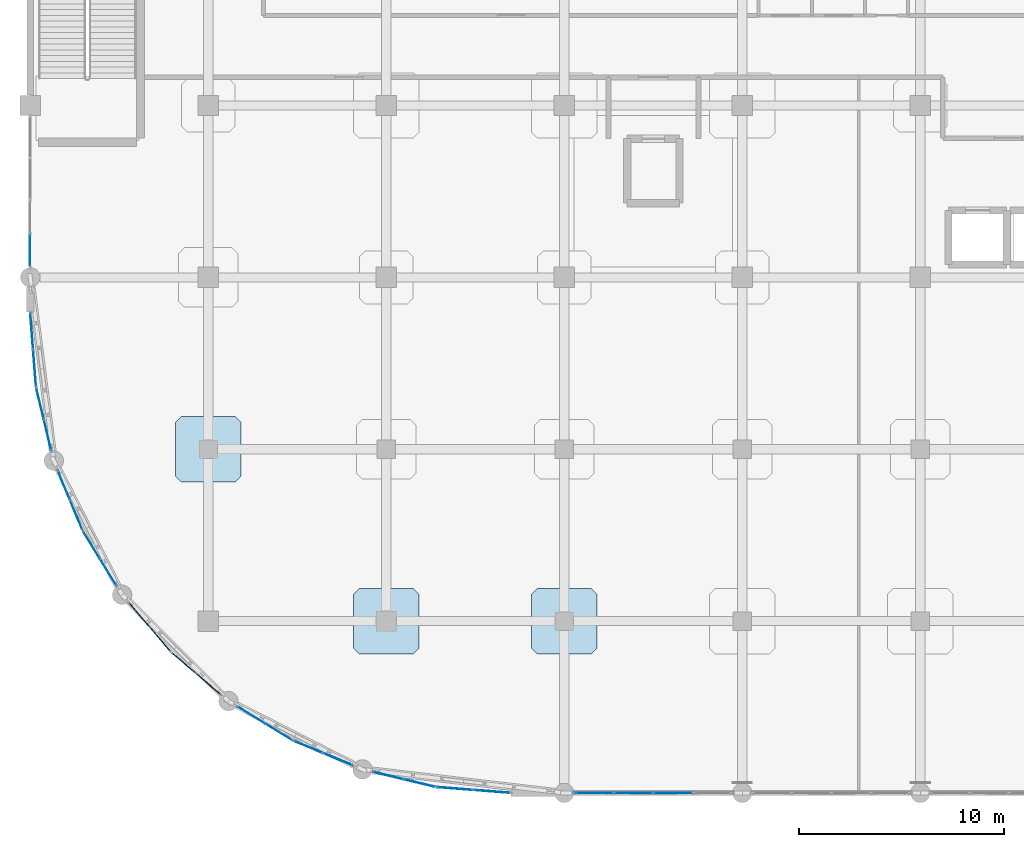
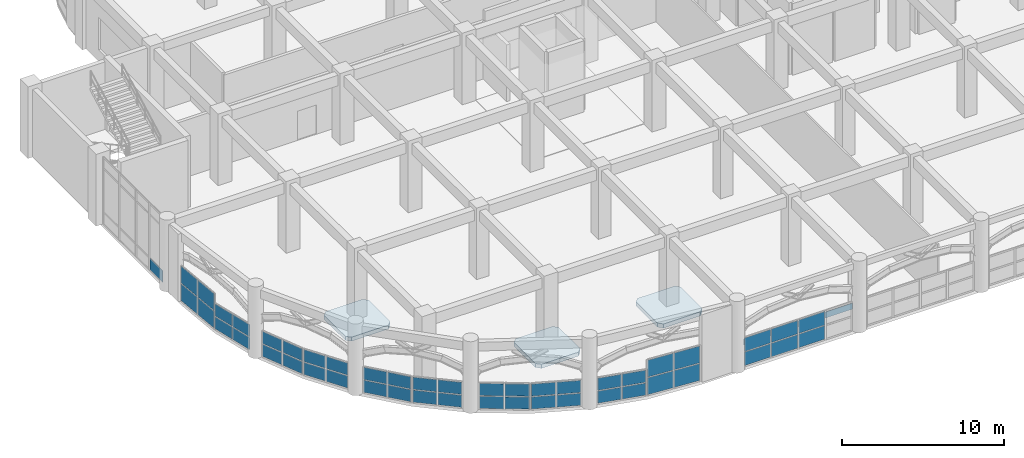
# One storey, part 79 of 114: 48 plates, 3 slabs, 12 elements without a shape of their own.
"""IFC4 building model written with IfcOpenShell, lengths in metres."""

from ifc_helpers import new_model, si_unit, derived_unit, direction, frame, origin, origin_2d, place, context, subcontext, project, spatial, polyline, rectangle, outline, extrude, material, layer, layer_set, type_object, element, aggregate, save


model = new_model("IFC4")

# Units and contexts
model_context = context("Model", 3, precision=1e-05, world=origin(), true_north=direction((0.0, 1.0)))
body_context = subcontext(model_context, "Body", "Model", "MODEL_VIEW")
ifc_project = project(units=[si_unit("LENGTHUNIT", "METRE"), si_unit("AREAUNIT", "SQUARE_METRE"), si_unit("VOLUMEUNIT", "CUBIC_METRE"), si_unit("PLANEANGLEUNIT", "RADIAN"), si_unit("MASSUNIT", "GRAM", prefix="KILO"), derived_unit("THERMALTRANSMITTANCEUNIT", [(si_unit("MASSUNIT", "GRAM", prefix="KILO"), 1), (si_unit("TIMEUNIT", "SECOND"), -3), (si_unit("THERMODYNAMICTEMPERATUREUNIT", "KELVIN"), -1)])], contexts=[model_context])

# Site, building, storey
site_placement = place(None, origin())
site = spatial("IfcSite", under=ifc_project, at=site_placement, CompositionType="ELEMENT")
building_placement = place(site_placement, origin())
building = spatial("IfcBuilding", under=site, at=building_placement, Name="Qinzheling Arcade Emporium", CompositionType="ELEMENT")
storey_placement = place(building_placement, frame((0.0, 0.0, 6.0)))
storey = spatial("IfcBuildingStorey", under=building, at=storey_placement, Name="L02", CompositionType="ELEMENT", Elevation=6.0)

# Slabs
ifc_material_1 = material(Name="Concrete C40", Category="concrete")
ifc_layer_1 = layer(ifc_material_1, 0.300048828125, Name="Concrete C40", Category="concrete")
ifc_layer_set_1 = layer_set([ifc_layer_1], Name="Concrete C40")
slab_type = type_object("IfcSlabType", Name="Column Head Drop Panel 3200x3200x300 C40", PredefinedType="USERDEFINED", material=ifc_layer_set_1)
slab_1_placement = place(storey_placement, frame((0.0, 0.0, -0.580078125)))
element("IfcSlab", 1, at=slab_1_placement, inside=storey, type_object=slab_type, Name="Column Drop Panel DP-L02-2-C", ObjectType="DROP_PANEL", PredefinedType="USERDEFINED", context=body_context, shape_type="SweptSolid", body=[
    extrude(outline(polyline([(7.3798828125, 15.199951171875), (10.02001953125, 15.199951171875), (10.300048828125, 15.47998046875), (10.300048828125, 18.1201171875), (10.02001953125, 18.39990234375), (7.3798828125, 18.39990234375), (7.10009765625, 18.1201171875), (7.10009765625, 15.47998046875), (7.3798828125, 15.199951171875)])), origin(), (0.0, 0.0, 1.0), 0.300048828125),
])
slab_2_placement = place(storey_placement, frame((0.0, 0.0, -0.580078125)))
element("IfcSlab", 2, at=slab_2_placement, inside=storey, type_object=slab_type, Name="Column Drop Panel DP-L02-3-B", ObjectType="DROP_PANEL", PredefinedType="USERDEFINED", context=body_context, shape_type="SweptSolid", body=[
    extrude(outline(polyline([(16.080078125, 6.800048828125), (18.719970703125, 6.800048828125), (19.0, 7.080078125), (19.0, 9.719970703125), (18.719970703125, 10.0), (16.080078125, 10.0), (15.800048828125, 9.719970703125), (15.800048828125, 7.080078125), (16.080078125, 6.800048828125)])), origin(), (0.0, 0.0, 1.0), 0.300048828125),
])
slab_3_placement = place(storey_placement, frame((0.0, 0.0, -0.580078125)))
element("IfcSlab", 3, at=slab_3_placement, inside=storey, type_object=slab_type, Name="Column Drop Panel DP-L02-4-B", ObjectType="DROP_PANEL", PredefinedType="USERDEFINED", context=body_context, shape_type="SweptSolid", body=[
    extrude(outline(polyline([(24.780029296875, 6.800048828125), (27.419921875, 6.800048828125), (27.699951171875, 7.080078125), (27.699951171875, 9.719970703125), (27.419921875, 10.0), (24.780029296875, 10.0), (24.5, 9.719970703125), (24.5, 7.080078125), (24.780029296875, 6.800048828125)])), origin(), (0.0, 0.0, 1.0), 0.300048828125),
])

# Curtain wall, plates
ifc_material_2 = material(Name="Anodised aluminium and solar-control double glazing", Category="aluminium")
ifc_layer_2 = layer(ifc_material_2, 0.159912109375, Name="Anodised aluminium and solar-control double glazing", Category="aluminium")
ifc_layer_set_2 = layer_set([ifc_layer_2], Name="Anodised aluminium and solar-control double glazing")
curtain_wall_type_1 = type_object("IfcCurtainWallType", Name="Curved Ribbon Sales Curtain Wall", PredefinedType="NOTDEFINED", material=ifc_layer_set_2)
curtain_wall_1_placement = place(storey_placement, origin())
curtain_wall_1 = element("IfcCurtainWall", 4, at=curtain_wall_1_placement, inside=storey, type_object=curtain_wall_type_1, Name="Curtain Wall CW-L02-079", PredefinedType="NOTDEFINED")
ifc_material_3 = material(Name="Laminated solar-control double glazing", Category="glass")
ifc_layer_3 = layer(ifc_material_3, 0.02099609375, Name="Laminated solar-control double glazing", Category="glass")
ifc_layer_set_3 = layer_set([ifc_layer_3], Name="Laminated solar-control double glazing")
plate_type_1 = type_object("IfcPlateType", Name="Low-E Double Glazed Curtain Panel 21mm", PredefinedType="CURTAIN_PANEL", material=ifc_layer_set_3)
plate_1_placement = place(storey_placement, frame((3.811767578125, 10.791015625, 0.06005859375), z_axis=(0.0, 0.0, 1.0), x_axis=(-0.522671615243, 0.852534094696, 0.0)))
plate_1 = element("IfcPlate", 5, at=plate_1_placement, type_object=plate_type_1, Name="CW02 panel 1.1", PredefinedType="CURTAIN_PANEL", context=body_context, shape_type="SweptSolid", body=[
    extrude(rectangle(XDim=1.51513671875, YDim=0.02099609375, at=origin_2d()), origin(), (0.0, 0.0, 1.0), 0.9150390625),
])
plate_2_placement = place(storey_placement, frame((3.811767578125, 10.791015625, 1.034912109375), z_axis=(0.0, 0.0, 1.0), x_axis=(-0.522671615243, 0.852534094696, 0.0)))
plate_2 = element("IfcPlate", 6, at=plate_2_placement, type_object=plate_type_1, Name="CW02 panel 1.2", PredefinedType="CURTAIN_PANEL", context=body_context, shape_type="SweptSolid", body=[
    extrude(rectangle(XDim=1.51513671875, YDim=0.02099609375, at=origin_2d()), origin(), (0.0, 0.0, 1.0), 0.9150390625),
])
plate_3_placement = place(storey_placement, frame((2.98828125, 12.134033203125, 0.06005859375), z_axis=(0.0, 0.0, 1.0), x_axis=(-0.522671615243, 0.852534094696, 0.0)))
plate_3 = element("IfcPlate", 7, at=plate_3_placement, type_object=plate_type_1, Name="CW02 panel 2.1", PredefinedType="CURTAIN_PANEL", context=body_context, shape_type="SweptSolid", body=[
    extrude(rectangle(XDim=1.51513671875, YDim=0.02099609375, at=origin_2d()), origin(), (0.0, 0.0, 1.0), 0.9150390625),
])
plate_4_placement = place(storey_placement, frame((2.98828125, 12.134033203125, 1.034912109375), z_axis=(0.0, 0.0, 1.0), x_axis=(-0.522671615243, 0.852534094696, 0.0)))
plate_4 = element("IfcPlate", 8, at=plate_4_placement, type_object=plate_type_1, Name="CW02 panel 2.2", PredefinedType="CURTAIN_PANEL", context=body_context, shape_type="SweptSolid", body=[
    extrude(rectangle(XDim=1.51513671875, YDim=0.02099609375, at=origin_2d()), origin(), (0.0, 0.0, 1.0), 0.9150390625),
])
aggregate(curtain_wall_1, [plate_1, plate_2, plate_3, plate_4])

curtain_wall_2_placement = place(storey_placement, origin())
curtain_wall_2 = element("IfcCurtainWall", 9, at=curtain_wall_2_placement, inside=storey, type_object=curtain_wall_type_1, Name="Curtain Wall CW-L02-080", PredefinedType="NOTDEFINED")
ifc_layer_4 = layer(ifc_material_3, 0.02197265625, Name="Laminated solar-control double glazing", Category="glass")
ifc_layer_set_4 = layer_set([ifc_layer_4], Name="Laminated solar-control double glazing")
plate_type_2 = type_object("IfcPlateType", Name="Low-E Double Glazed Curtain Panel 22mm", PredefinedType="CURTAIN_PANEL", material=ifc_layer_set_4)
plate_5_placement = place(storey_placement, frame((2.248291015625, 13.58642578125, 0.06005859375), z_axis=(0.0, 0.0, 1.0), x_axis=(-0.382535212849, 0.923940913117, 0.0)))
plate_5 = element("IfcPlate", 10, at=plate_5_placement, type_object=plate_type_2, Name="CW02 panel 1.1", PredefinedType="CURTAIN_PANEL", context=body_context, shape_type="SweptSolid", body=[
    extrude(rectangle(XDim=1.51513671875, YDim=0.02197265625, at=origin_2d()), origin(), (0.0, 0.0, 1.0), 0.9150390625),
])
plate_6_placement = place(storey_placement, frame((2.248291015625, 13.58642578125, 1.034912109375), z_axis=(0.0, 0.0, 1.0), x_axis=(-0.382535212849, 0.923940913117, 0.0)))
plate_6 = element("IfcPlate", 11, at=plate_6_placement, type_object=plate_type_2, Name="CW02 panel 1.2", PredefinedType="CURTAIN_PANEL", context=body_context, shape_type="SweptSolid", body=[
    extrude(rectangle(XDim=1.51513671875, YDim=0.02197265625, at=origin_2d()), origin(), (0.0, 0.0, 1.0), 0.9150390625),
])
plate_7_placement = place(storey_placement, frame((1.645751953125, 15.041748046875, 0.06005859375), z_axis=(0.0, 0.0, 1.0), x_axis=(-0.382535212849, 0.923940913117, 0.0)))
plate_7 = element("IfcPlate", 12, at=plate_7_placement, type_object=plate_type_2, Name="CW02 panel 2.1", PredefinedType="CURTAIN_PANEL", context=body_context, shape_type="SweptSolid", body=[
    extrude(rectangle(XDim=1.51513671875, YDim=0.02197265625, at=origin_2d()), origin(), (0.0, 0.0, 1.0), 0.9150390625),
])
plate_8_placement = place(storey_placement, frame((1.645751953125, 15.041748046875, 1.034912109375), z_axis=(0.0, 0.0, 1.0), x_axis=(-0.382535212849, 0.923940913117, 0.0)))
plate_8 = element("IfcPlate", 13, at=plate_8_placement, type_object=plate_type_2, Name="CW02 panel 2.2", PredefinedType="CURTAIN_PANEL", context=body_context, shape_type="SweptSolid", body=[
    extrude(rectangle(XDim=1.51513671875, YDim=0.02197265625, at=origin_2d()), origin(), (0.0, 0.0, 1.0), 0.9150390625),
])
aggregate(curtain_wall_2, [plate_5, plate_6, plate_7, plate_8])

curtain_wall_3_placement = place(storey_placement, origin())
curtain_wall_3 = element("IfcCurtainWall", 14, at=curtain_wall_3_placement, inside=storey, type_object=curtain_wall_type_1, Name="Curtain Wall CW-L02-081", PredefinedType="NOTDEFINED")
ifc_layer_5 = layer(ifc_material_3, 0.02392578125, Name="Laminated solar-control double glazing", Category="glass")
ifc_layer_set_5 = layer_set([ifc_layer_5], Name="Laminated solar-control double glazing")
plate_type_3 = type_object("IfcPlateType", Name="Low-E Double Glazed Curtain Panel 24mm", PredefinedType="CURTAIN_PANEL", material=ifc_layer_set_5)
plate_9_placement = place(storey_placement, frame((0.847900390625, 17.4970703125, 0.06005859375), z_axis=(0.0, 0.0, 1.0), x_axis=(-0.233584975646, 0.972336391972, 0.0)))
plate_9 = element("IfcPlate", 15, at=plate_9_placement, type_object=plate_type_3, Name="CW02 panel 1.1", PredefinedType="CURTAIN_PANEL", context=body_context, shape_type="SweptSolid", body=[
    extrude(rectangle(XDim=1.515380859375, YDim=0.02392578125, at=origin_2d()), origin(), (0.0, 0.0, 1.0), 0.9150390625),
])
plate_10_placement = place(storey_placement, frame((0.847900390625, 17.4970703125, 1.034912109375), z_axis=(0.0, 0.0, 1.0), x_axis=(-0.233584975646, 0.972336391972, 0.0)))
plate_10 = element("IfcPlate", 16, at=plate_10_placement, type_object=plate_type_3, Name="CW02 panel 1.2", PredefinedType="CURTAIN_PANEL", context=body_context, shape_type="SweptSolid", body=[
    extrude(rectangle(XDim=1.515380859375, YDim=0.02392578125, at=origin_2d()), origin(), (0.0, 0.0, 1.0), 0.9150390625),
])
plate_11_placement = place(storey_placement, frame((0.47998046875, 19.02880859375, 0.06005859375), z_axis=(0.0, 0.0, 1.0), x_axis=(-0.233584975646, 0.972336391972, 0.0)))
plate_11 = element("IfcPlate", 17, at=plate_11_placement, type_object=plate_type_3, Name="CW02 panel 2.1", PredefinedType="CURTAIN_PANEL", context=body_context, shape_type="SweptSolid", body=[
    extrude(rectangle(XDim=1.515380859375, YDim=0.02392578125, at=origin_2d()), origin(), (0.0, 0.0, 1.0), 0.9150390625),
])
plate_12_placement = place(storey_placement, frame((0.47998046875, 19.02880859375, 1.034912109375), z_axis=(0.0, 0.0, 1.0), x_axis=(-0.233584975646, 0.972336391972, 0.0)))
plate_12 = element("IfcPlate", 18, at=plate_12_placement, type_object=plate_type_3, Name="CW02 panel 2.2", PredefinedType="CURTAIN_PANEL", context=body_context, shape_type="SweptSolid", body=[
    extrude(rectangle(XDim=1.515380859375, YDim=0.02392578125, at=origin_2d()), origin(), (0.0, 0.0, 1.0), 0.9150390625),
])
aggregate(curtain_wall_3, [plate_9, plate_10, plate_11, plate_12])

curtain_wall_4_placement = place(storey_placement, origin())
curtain_wall_4 = element("IfcCurtainWall", 19, at=curtain_wall_4_placement, inside=storey, type_object=curtain_wall_type_1, Name="Curtain Wall CW-L02-082", PredefinedType="NOTDEFINED")
ifc_layer_6 = layer(ifc_material_3, 0.02490234375, Name="Laminated solar-control double glazing", Category="glass")
ifc_layer_set_6 = layer_set([ifc_layer_6], Name="Laminated solar-control double glazing")
plate_type_4 = type_object("IfcPlateType", Name="Low-E Double Glazed Curtain Panel 25mm", PredefinedType="CURTAIN_PANEL", material=ifc_layer_set_6)
plate_13_placement = place(storey_placement, frame((0.215576171875, 20.758056640625, 0.06005859375), z_axis=(0.0, 0.0, 1.0), x_axis=(-0.078376222365, 0.996923852542, 0.0)))
plate_13 = element("IfcPlate", 20, at=plate_13_placement, type_object=plate_type_4, Name="CW02 panel 1.1", PredefinedType="CURTAIN_PANEL", context=body_context, shape_type="SweptSolid", body=[
    extrude(rectangle(XDim=1.753662109375, YDim=0.02490234375, at=origin_2d()), origin(), (0.0, 0.0, 1.0), 1.27197265625),
])
plate_14_placement = place(storey_placement, frame((0.215576171875, 20.758056640625, 1.39208984375), z_axis=(0.0, 0.0, 1.0), x_axis=(-0.078376222365, 0.996923852542, 0.0)))
plate_14 = element("IfcPlate", 21, at=plate_14_placement, type_object=plate_type_4, Name="CW02 panel 1.2", PredefinedType="CURTAIN_PANEL", context=body_context, shape_type="SweptSolid", body=[
    extrude(rectangle(XDim=1.753662109375, YDim=0.02490234375, at=origin_2d()), origin(), (0.0, 0.0, 1.0), 1.27099609375),
])
plate_15_placement = place(storey_placement, frame((0.073486328125, 22.566162109375, 0.06005859375), z_axis=(0.0, 0.0, 1.0), x_axis=(-0.078376222365, 0.996923852542, 0.0)))
plate_15 = element("IfcPlate", 22, at=plate_15_placement, type_object=plate_type_4, Name="CW02 panel 2.1", PredefinedType="CURTAIN_PANEL", context=body_context, shape_type="SweptSolid", body=[
    extrude(rectangle(XDim=1.753662109375, YDim=0.02490234375, at=origin_2d()), origin(), (0.0, 0.0, 1.0), 1.27197265625),
])
plate_16_placement = place(storey_placement, frame((0.073486328125, 22.566162109375, 1.39208984375), z_axis=(0.0, 0.0, 1.0), x_axis=(-0.078376222365, 0.996923852542, 0.0)))
plate_16 = element("IfcPlate", 23, at=plate_16_placement, type_object=plate_type_4, Name="CW02 panel 2.2", PredefinedType="CURTAIN_PANEL", context=body_context, shape_type="SweptSolid", body=[
    extrude(rectangle(XDim=1.753662109375, YDim=0.02490234375, at=origin_2d()), origin(), (0.0, 0.0, 1.0), 1.27099609375),
])
aggregate(curtain_wall_4, [plate_13, plate_14, plate_15, plate_16])

# Curtain wall, plate
ifc_layer_7 = layer(ifc_material_2, 0.159912109375, Name="Anodised aluminium and solar-control double glazing", Category="aluminium")
ifc_layer_set_7 = layer_set([ifc_layer_7], Name="Anodised aluminium and solar-control double glazing")
curtain_wall_type_2 = type_object("IfcCurtainWallType", Name="Arcade Portal Glazed Curtain Wall", PredefinedType="NOTDEFINED", material=ifc_layer_set_7)
curtain_wall_5_placement = place(storey_placement, origin())
curtain_wall_5 = element("IfcCurtainWall", 24, at=curtain_wall_5_placement, inside=storey, type_object=curtain_wall_type_2, Name="Curtain Wall CW-L02-083", PredefinedType="NOTDEFINED")
ifc_layer_8 = layer(ifc_material_3, 0.02587890625, Name="Laminated solar-control double glazing", Category="glass")
ifc_layer_set_8 = layer_set([ifc_layer_8], Name="Laminated solar-control double glazing")
plate_type_5 = type_object("IfcPlateType", Name="Low-E Double Glazed Curtain Panel 26mm", PredefinedType="CURTAIN_PANEL", material=ifc_layer_set_8)
plate_17_placement = place(storey_placement, frame((0.0, 26.522705078125, 0.06005859375), z_axis=(0.0, 0.0, 1.0), x_axis=(0.0, 1.0, 0.0)))
plate_17 = element("IfcPlate", 25, at=plate_17_placement, type_object=plate_type_5, Name="CW05 panel 1.1", PredefinedType="CURTAIN_PANEL", context=body_context, shape_type="SweptSolid", body=[
    extrude(rectangle(XDim=1.571533203125, YDim=0.02587890625, at=origin_2d()), origin(), (0.0, 0.0, 1.0), 0.860107421875),
])
aggregate(curtain_wall_5, [plate_17])

# Curtain wall, plates
curtain_wall_6_placement = place(storey_placement, origin())
curtain_wall_6 = element("IfcCurtainWall", 26, at=curtain_wall_6_placement, inside=storey, type_object=curtain_wall_type_2, Name="Curtain Wall CW-L02-072", PredefinedType="NOTDEFINED")
ifc_layer_9 = layer(ifc_material_3, 0.031005859375, Name="Laminated solar-control double glazing", Category="glass")
ifc_layer_set_9 = layer_set([ifc_layer_9], Name="Laminated solar-control double glazing")
plate_type_6 = type_object("IfcPlateType", Name="Low-E Double Glazed Curtain Panel 31mm", PredefinedType="CURTAIN_PANEL", material=ifc_layer_set_9)
plate_18_placement = place(storey_placement, frame((31.418212890625, 0.0, 0.06005859375), z_axis=(0.0, 0.0, 1.0), x_axis=(-1.0, 0.0, 0.0)))
plate_18 = element("IfcPlate", 27, at=plate_18_placement, type_object=plate_type_6, Name="CW05 panel 2.1", PredefinedType="CURTAIN_PANEL", context=body_context, shape_type="SweptSolid", body=[
    extrude(rectangle(XDim=1.87646484375, YDim=0.031005859375, at=origin_2d()), origin(), (0.0, 0.0, 1.0), 1.014892578125),
])
plate_19_placement = place(storey_placement, frame((31.418212890625, 0.0, 1.13525390625), z_axis=(0.0, 0.0, 1.0), x_axis=(-1.0, 0.0, 0.0)))
plate_19 = element("IfcPlate", 28, at=plate_19_placement, type_object=plate_type_6, Name="CW05 panel 2.2", PredefinedType="CURTAIN_PANEL", context=body_context, shape_type="SweptSolid", body=[
    extrude(rectangle(XDim=1.87646484375, YDim=0.031005859375, at=origin_2d()), origin(), (0.0, 0.0, 1.0), 1.014892578125),
])
plate_20_placement = place(storey_placement, frame((29.481689453125, 0.0, 0.06005859375), z_axis=(0.0, 0.0, 1.0), x_axis=(-1.0, 0.0, 0.0)))
plate_20 = element("IfcPlate", 29, at=plate_20_placement, type_object=plate_type_6, Name="CW05 panel 3.1", PredefinedType="CURTAIN_PANEL", context=body_context, shape_type="SweptSolid", body=[
    extrude(rectangle(XDim=1.87646484375, YDim=0.031005859375, at=origin_2d()), origin(), (0.0, 0.0, 1.0), 1.014892578125),
])
plate_21_placement = place(storey_placement, frame((29.481689453125, 0.0, 1.13525390625), z_axis=(0.0, 0.0, 1.0), x_axis=(-1.0, 0.0, 0.0)))
plate_21 = element("IfcPlate", 30, at=plate_21_placement, type_object=plate_type_6, Name="CW05 panel 3.2", PredefinedType="CURTAIN_PANEL", context=body_context, shape_type="SweptSolid", body=[
    extrude(rectangle(XDim=1.87646484375, YDim=0.031005859375, at=origin_2d()), origin(), (0.0, 0.0, 1.0), 1.014892578125),
])
plate_22_placement = place(storey_placement, frame((27.560302734375, 0.0, 0.06005859375), z_axis=(0.0, 0.0, 1.0), x_axis=(-1.0, 0.0, 0.0)))
plate_22 = element("IfcPlate", 31, at=plate_22_placement, type_object=plate_type_6, Name="CW05 panel 4.1", PredefinedType="CURTAIN_PANEL", context=body_context, shape_type="SweptSolid", body=[
    extrude(rectangle(XDim=1.846435546875, YDim=0.031005859375, at=origin_2d()), origin(), (0.0, 0.0, 1.0), 1.014892578125),
])
plate_23_placement = place(storey_placement, frame((27.560302734375, 0.0, 1.13525390625), z_axis=(0.0, 0.0, 1.0), x_axis=(-1.0, 0.0, 0.0)))
plate_23 = element("IfcPlate", 32, at=plate_23_placement, type_object=plate_type_6, Name="CW05 panel 4.2", PredefinedType="CURTAIN_PANEL", context=body_context, shape_type="SweptSolid", body=[
    extrude(rectangle(XDim=1.846435546875, YDim=0.031005859375, at=origin_2d()), origin(), (0.0, 0.0, 1.0), 1.014892578125),
])
aggregate(curtain_wall_6, [plate_18, plate_19, plate_20, plate_21, plate_22, plate_23])

curtain_wall_7_placement = place(storey_placement, origin())
curtain_wall_7 = element("IfcCurtainWall", 33, at=curtain_wall_7_placement, inside=storey, type_object=curtain_wall_type_1, Name="Curtain Wall CW-L02-073", PredefinedType="NOTDEFINED")
ifc_layer_10 = layer(ifc_material_3, 0.031982421875, Name="Laminated solar-control double glazing", Category="glass")
ifc_layer_set_10 = layer_set([ifc_layer_10], Name="Laminated solar-control double glazing")
plate_type_7 = type_object("IfcPlateType", Name="Low-E Double Glazed Curtain Panel 32mm", PredefinedType="CURTAIN_PANEL", material=ifc_layer_set_10)
plate_24_placement = place(storey_placement, frame((22.566162109375, 0.073486328125, 0.06005859375), z_axis=(0.0, 0.0, 1.0), x_axis=(-0.996923852542, 0.078376222365, 0.0)))
plate_24 = element("IfcPlate", 34, at=plate_24_placement, type_object=plate_type_7, Name="CW02 panel 1.1", PredefinedType="CURTAIN_PANEL", context=body_context, shape_type="SweptSolid", body=[
    extrude(rectangle(XDim=1.753662109375, YDim=0.031982421875, at=origin_2d()), origin(), (0.0, 0.0, 1.0), 1.27197265625),
])
plate_25_placement = place(storey_placement, frame((22.566162109375, 0.073486328125, 1.39208984375), z_axis=(0.0, 0.0, 1.0), x_axis=(-0.996923852542, 0.078376222365, 0.0)))
plate_25 = element("IfcPlate", 35, at=plate_25_placement, type_object=plate_type_7, Name="CW02 panel 1.2", PredefinedType="CURTAIN_PANEL", context=body_context, shape_type="SweptSolid", body=[
    extrude(rectangle(XDim=1.753662109375, YDim=0.031982421875, at=origin_2d()), origin(), (0.0, 0.0, 1.0), 1.27099609375),
])
plate_26_placement = place(storey_placement, frame((20.758056640625, 0.215576171875, 0.06005859375), z_axis=(0.0, 0.0, 1.0), x_axis=(-0.996923852542, 0.078376222365, 0.0)))
plate_26 = element("IfcPlate", 36, at=plate_26_placement, type_object=plate_type_7, Name="CW02 panel 2.1", PredefinedType="CURTAIN_PANEL", context=body_context, shape_type="SweptSolid", body=[
    extrude(rectangle(XDim=1.753662109375, YDim=0.031982421875, at=origin_2d()), origin(), (0.0, 0.0, 1.0), 1.27197265625),
])
plate_27_placement = place(storey_placement, frame((20.758056640625, 0.215576171875, 1.39208984375), z_axis=(0.0, 0.0, 1.0), x_axis=(-0.996923852542, 0.078376222365, 0.0)))
plate_27 = element("IfcPlate", 37, at=plate_27_placement, type_object=plate_type_7, Name="CW02 panel 2.2", PredefinedType="CURTAIN_PANEL", context=body_context, shape_type="SweptSolid", body=[
    extrude(rectangle(XDim=1.753662109375, YDim=0.031982421875, at=origin_2d()), origin(), (0.0, 0.0, 1.0), 1.27099609375),
])
aggregate(curtain_wall_7, [plate_24, plate_25, plate_26, plate_27])

curtain_wall_8_placement = place(storey_placement, origin())
curtain_wall_8 = element("IfcCurtainWall", 38, at=curtain_wall_8_placement, inside=storey, type_object=curtain_wall_type_1, Name="Curtain Wall CW-L02-074", PredefinedType="NOTDEFINED")
ifc_layer_11 = layer(ifc_material_3, 0.033935546875, Name="Laminated solar-control double glazing", Category="glass")
ifc_layer_set_11 = layer_set([ifc_layer_11], Name="Laminated solar-control double glazing")
plate_type_8 = type_object("IfcPlateType", Name="Low-E Double Glazed Curtain Panel 34mm", PredefinedType="CURTAIN_PANEL", material=ifc_layer_set_11)
plate_28_placement = place(storey_placement, frame((19.02880859375, 0.47998046875, 0.06005859375), z_axis=(0.0, 0.0, 1.0), x_axis=(-0.972336391972, 0.233584975646, 0.0)))
plate_28 = element("IfcPlate", 39, at=plate_28_placement, type_object=plate_type_8, Name="CW02 panel 1.1", PredefinedType="CURTAIN_PANEL", context=body_context, shape_type="SweptSolid", body=[
    extrude(rectangle(XDim=1.515380859375, YDim=0.033935546875, at=origin_2d()), origin(), (0.0, 0.0, 1.0), 0.9150390625),
])
plate_29_placement = place(storey_placement, frame((19.02880859375, 0.47998046875, 1.034912109375), z_axis=(0.0, 0.0, 1.0), x_axis=(-0.972336391972, 0.233584975646, 0.0)))
plate_29 = element("IfcPlate", 40, at=plate_29_placement, type_object=plate_type_8, Name="CW02 panel 1.2", PredefinedType="CURTAIN_PANEL", context=body_context, shape_type="SweptSolid", body=[
    extrude(rectangle(XDim=1.515380859375, YDim=0.033935546875, at=origin_2d()), origin(), (0.0, 0.0, 1.0), 0.9150390625),
])
plate_30_placement = place(storey_placement, frame((17.4970703125, 0.847900390625, 0.06005859375), z_axis=(0.0, 0.0, 1.0), x_axis=(-0.972336391972, 0.233584975646, 0.0)))
plate_30 = element("IfcPlate", 41, at=plate_30_placement, type_object=plate_type_8, Name="CW02 panel 2.1", PredefinedType="CURTAIN_PANEL", context=body_context, shape_type="SweptSolid", body=[
    extrude(rectangle(XDim=1.515380859375, YDim=0.033935546875, at=origin_2d()), origin(), (0.0, 0.0, 1.0), 0.9150390625),
])
plate_31_placement = place(storey_placement, frame((17.4970703125, 0.847900390625, 1.034912109375), z_axis=(0.0, 0.0, 1.0), x_axis=(-0.972336391972, 0.233584975646, 0.0)))
plate_31 = element("IfcPlate", 42, at=plate_31_placement, type_object=plate_type_8, Name="CW02 panel 2.2", PredefinedType="CURTAIN_PANEL", context=body_context, shape_type="SweptSolid", body=[
    extrude(rectangle(XDim=1.515380859375, YDim=0.033935546875, at=origin_2d()), origin(), (0.0, 0.0, 1.0), 0.9150390625),
])
aggregate(curtain_wall_8, [plate_28, plate_29, plate_30, plate_31])

curtain_wall_9_placement = place(storey_placement, origin())
curtain_wall_9 = element("IfcCurtainWall", 43, at=curtain_wall_9_placement, inside=storey, type_object=curtain_wall_type_1, Name="Curtain Wall CW-L02-075", PredefinedType="NOTDEFINED")
ifc_layer_12 = layer(ifc_material_3, 0.035888671875, Name="Laminated solar-control double glazing", Category="glass")
ifc_layer_set_12 = layer_set([ifc_layer_12], Name="Laminated solar-control double glazing")
plate_type_9 = type_object("IfcPlateType", Name="Low-E Double Glazed Curtain Panel 36mm", PredefinedType="CURTAIN_PANEL", material=ifc_layer_set_12)
plate_32_placement = place(storey_placement, frame((15.041748046875, 1.645751953125, 0.06005859375), z_axis=(0.0, 0.0, 1.0), x_axis=(-0.923940913117, 0.382535212849, 0.0)))
plate_32 = element("IfcPlate", 44, at=plate_32_placement, type_object=plate_type_9, Name="CW02 panel 1.1", PredefinedType="CURTAIN_PANEL", context=body_context, shape_type="SweptSolid", body=[
    extrude(rectangle(XDim=1.51513671875, YDim=0.035888671875, at=origin_2d()), origin(), (0.0, 0.0, 1.0), 0.9150390625),
])
plate_33_placement = place(storey_placement, frame((15.041748046875, 1.645751953125, 1.034912109375), z_axis=(0.0, 0.0, 1.0), x_axis=(-0.923940913117, 0.382535212849, 0.0)))
plate_33 = element("IfcPlate", 45, at=plate_33_placement, type_object=plate_type_9, Name="CW02 panel 1.2", PredefinedType="CURTAIN_PANEL", context=body_context, shape_type="SweptSolid", body=[
    extrude(rectangle(XDim=1.51513671875, YDim=0.035888671875, at=origin_2d()), origin(), (0.0, 0.0, 1.0), 0.9150390625),
])
plate_34_placement = place(storey_placement, frame((13.58642578125, 2.248291015625, 0.06005859375), z_axis=(0.0, 0.0, 1.0), x_axis=(-0.923940913117, 0.382535212849, 0.0)))
plate_34 = element("IfcPlate", 46, at=plate_34_placement, type_object=plate_type_9, Name="CW02 panel 2.1", PredefinedType="CURTAIN_PANEL", context=body_context, shape_type="SweptSolid", body=[
    extrude(rectangle(XDim=1.51513671875, YDim=0.035888671875, at=origin_2d()), origin(), (0.0, 0.0, 1.0), 0.9150390625),
])
plate_35_placement = place(storey_placement, frame((13.58642578125, 2.248291015625, 1.034912109375), z_axis=(0.0, 0.0, 1.0), x_axis=(-0.923940913117, 0.382535212849, 0.0)))
plate_35 = element("IfcPlate", 47, at=plate_35_placement, type_object=plate_type_9, Name="CW02 panel 2.2", PredefinedType="CURTAIN_PANEL", context=body_context, shape_type="SweptSolid", body=[
    extrude(rectangle(XDim=1.51513671875, YDim=0.035888671875, at=origin_2d()), origin(), (0.0, 0.0, 1.0), 0.9150390625),
])
aggregate(curtain_wall_9, [plate_32, plate_33, plate_34, plate_35])

curtain_wall_10_placement = place(storey_placement, origin())
curtain_wall_10 = element("IfcCurtainWall", 48, at=curtain_wall_10_placement, inside=storey, type_object=curtain_wall_type_1, Name="Curtain Wall CW-L02-076", PredefinedType="NOTDEFINED")
ifc_layer_13 = layer(ifc_material_3, 0.0380859375, Name="Laminated solar-control double glazing", Category="glass")
ifc_layer_set_13 = layer_set([ifc_layer_13], Name="Laminated solar-control double glazing")
plate_type_10 = type_object("IfcPlateType", Name="Low-E Double Glazed Curtain Panel 38mm", PredefinedType="CURTAIN_PANEL", material=ifc_layer_set_13)
plate_36_placement = place(storey_placement, frame((12.134033203125, 2.98828125, 0.06005859375), z_axis=(0.0, 0.0, 1.0), x_axis=(-0.852534094696, 0.522671615243, 0.0)))
plate_36 = element("IfcPlate", 49, at=plate_36_placement, type_object=plate_type_10, Name="CW02 panel 1.1", PredefinedType="CURTAIN_PANEL", context=body_context, shape_type="SweptSolid", body=[
    extrude(rectangle(XDim=1.51513671875, YDim=0.0380859375, at=origin_2d()), origin(), (0.0, 0.0, 1.0), 0.9150390625),
])
plate_37_placement = place(storey_placement, frame((12.134033203125, 2.98828125, 1.034912109375), z_axis=(0.0, 0.0, 1.0), x_axis=(-0.852534094696, 0.522671615243, 0.0)))
plate_37 = element("IfcPlate", 50, at=plate_37_placement, type_object=plate_type_10, Name="CW02 panel 1.2", PredefinedType="CURTAIN_PANEL", context=body_context, shape_type="SweptSolid", body=[
    extrude(rectangle(XDim=1.51513671875, YDim=0.0380859375, at=origin_2d()), origin(), (0.0, 0.0, 1.0), 0.9150390625),
])
plate_38_placement = place(storey_placement, frame((10.791015625, 3.811767578125, 0.06005859375), z_axis=(0.0, 0.0, 1.0), x_axis=(-0.852534094696, 0.522671615243, 0.0)))
plate_38 = element("IfcPlate", 51, at=plate_38_placement, type_object=plate_type_10, Name="CW02 panel 2.1", PredefinedType="CURTAIN_PANEL", context=body_context, shape_type="SweptSolid", body=[
    extrude(rectangle(XDim=1.51513671875, YDim=0.0380859375, at=origin_2d()), origin(), (0.0, 0.0, 1.0), 0.9150390625),
])
plate_39_placement = place(storey_placement, frame((10.791015625, 3.811767578125, 1.034912109375), z_axis=(0.0, 0.0, 1.0), x_axis=(-0.852534094696, 0.522671615243, 0.0)))
plate_39 = element("IfcPlate", 52, at=plate_39_placement, type_object=plate_type_10, Name="CW02 panel 2.2", PredefinedType="CURTAIN_PANEL", context=body_context, shape_type="SweptSolid", body=[
    extrude(rectangle(XDim=1.51513671875, YDim=0.0380859375, at=origin_2d()), origin(), (0.0, 0.0, 1.0), 0.9150390625),
])
aggregate(curtain_wall_10, [plate_36, plate_37, plate_38, plate_39])

curtain_wall_11_placement = place(storey_placement, origin())
curtain_wall_11 = element("IfcCurtainWall", 53, at=curtain_wall_11_placement, inside=storey, type_object=curtain_wall_type_1, Name="Curtain Wall CW-L02-077", PredefinedType="NOTDEFINED")
ifc_layer_14 = layer(ifc_material_3, 0.0400390625, Name="Laminated solar-control double glazing", Category="glass")
ifc_layer_set_14 = layer_set([ifc_layer_14], Name="Laminated solar-control double glazing")
plate_type_11 = type_object("IfcPlateType", Name="Low-E Double Glazed Curtain Panel 40mm", PredefinedType="CURTAIN_PANEL", material=ifc_layer_set_14)
plate_40_placement = place(storey_placement, frame((8.702392578125, 5.3291015625, 0.06005859375), z_axis=(0.0, 0.0, 1.0), x_axis=(-0.760376883098, 0.649482098021, 0.0)))
plate_40 = element("IfcPlate", 54, at=plate_40_placement, type_object=plate_type_11, Name="CW02 panel 1.1", PredefinedType="CURTAIN_PANEL", context=body_context, shape_type="SweptSolid", body=[
    extrude(rectangle(XDim=1.51513671875, YDim=0.0400390625, at=origin_2d()), origin(), (0.0, 0.0, 1.0), 0.9150390625),
])
plate_41_placement = place(storey_placement, frame((8.702392578125, 5.3291015625, 1.034912109375), z_axis=(0.0, 0.0, 1.0), x_axis=(-0.760376883098, 0.649482098021, 0.0)))
plate_41 = element("IfcPlate", 55, at=plate_41_placement, type_object=plate_type_11, Name="CW02 panel 1.2", PredefinedType="CURTAIN_PANEL", context=body_context, shape_type="SweptSolid", body=[
    extrude(rectangle(XDim=1.51513671875, YDim=0.0400390625, at=origin_2d()), origin(), (0.0, 0.0, 1.0), 0.9150390625),
])
plate_42_placement = place(storey_placement, frame((7.504638671875, 6.35205078125, 0.06005859375), z_axis=(0.0, 0.0, 1.0), x_axis=(-0.760376883098, 0.649482098021, 0.0)))
plate_42 = element("IfcPlate", 56, at=plate_42_placement, type_object=plate_type_11, Name="CW02 panel 2.1", PredefinedType="CURTAIN_PANEL", context=body_context, shape_type="SweptSolid", body=[
    extrude(rectangle(XDim=1.51513671875, YDim=0.0400390625, at=origin_2d()), origin(), (0.0, 0.0, 1.0), 0.9150390625),
])
plate_43_placement = place(storey_placement, frame((7.504638671875, 6.35205078125, 1.034912109375), z_axis=(0.0, 0.0, 1.0), x_axis=(-0.760376883098, 0.649482098021, 0.0)))
plate_43 = element("IfcPlate", 57, at=plate_43_placement, type_object=plate_type_11, Name="CW02 panel 2.2", PredefinedType="CURTAIN_PANEL", context=body_context, shape_type="SweptSolid", body=[
    extrude(rectangle(XDim=1.51513671875, YDim=0.0400390625, at=origin_2d()), origin(), (0.0, 0.0, 1.0), 0.9150390625),
])
aggregate(curtain_wall_11, [plate_40, plate_41, plate_42, plate_43])

curtain_wall_12_placement = place(storey_placement, origin())
curtain_wall_12 = element("IfcCurtainWall", 58, at=curtain_wall_12_placement, inside=storey, type_object=curtain_wall_type_1, Name="Curtain Wall CW-L02-078", PredefinedType="NOTDEFINED")
ifc_layer_15 = layer(ifc_material_3, 0.0419921875, Name="Laminated solar-control double glazing", Category="glass")
ifc_layer_set_15 = layer_set([ifc_layer_15], Name="Laminated solar-control double glazing")
plate_type_12 = type_object("IfcPlateType", Name="Low-E Double Glazed Curtain Panel 42mm", PredefinedType="CURTAIN_PANEL", material=ifc_layer_set_15)
plate_44_placement = place(storey_placement, frame((6.35205078125, 7.504638671875, 0.06005859375), z_axis=(0.0, 0.0, 1.0), x_axis=(-0.649482098021, 0.760376883098, 0.0)))
plate_44 = element("IfcPlate", 59, at=plate_44_placement, type_object=plate_type_12, Name="CW02 panel 1.1", PredefinedType="CURTAIN_PANEL", context=body_context, shape_type="SweptSolid", body=[
    extrude(rectangle(XDim=1.51513671875, YDim=0.0419921875, at=origin_2d()), origin(), (0.0, 0.0, 1.0), 0.9150390625),
])
plate_45_placement = place(storey_placement, frame((6.35205078125, 7.504638671875, 1.034912109375), z_axis=(0.0, 0.0, 1.0), x_axis=(-0.649482098021, 0.760376883098, 0.0)))
plate_45 = element("IfcPlate", 60, at=plate_45_placement, type_object=plate_type_12, Name="CW02 panel 1.2", PredefinedType="CURTAIN_PANEL", context=body_context, shape_type="SweptSolid", body=[
    extrude(rectangle(XDim=1.51513671875, YDim=0.0419921875, at=origin_2d()), origin(), (0.0, 0.0, 1.0), 0.9150390625),
])
plate_46_placement = place(storey_placement, frame((5.3291015625, 8.702392578125, 0.06005859375), z_axis=(0.0, 0.0, 1.0), x_axis=(-0.649482098021, 0.760376883098, 0.0)))
plate_46 = element("IfcPlate", 61, at=plate_46_placement, type_object=plate_type_12, Name="CW02 panel 2.1", PredefinedType="CURTAIN_PANEL", context=body_context, shape_type="SweptSolid", body=[
    extrude(rectangle(XDim=1.51513671875, YDim=0.0419921875, at=origin_2d()), origin(), (0.0, 0.0, 1.0), 0.9150390625),
])
plate_47_placement = place(storey_placement, frame((5.3291015625, 8.702392578125, 1.034912109375), z_axis=(0.0, 0.0, 1.0), x_axis=(-0.649482098021, 0.760376883098, 0.0)))
plate_47 = element("IfcPlate", 62, at=plate_47_placement, type_object=plate_type_12, Name="CW02 panel 2.2", PredefinedType="CURTAIN_PANEL", context=body_context, shape_type="SweptSolid", body=[
    extrude(rectangle(XDim=1.51513671875, YDim=0.0419921875, at=origin_2d()), origin(), (0.0, 0.0, 1.0), 0.9150390625),
])
aggregate(curtain_wall_12, [plate_44, plate_45, plate_46, plate_47])

# Plate
ifc_material_4 = material(Name="Perforated anodised aluminium sheet", Category="aluminium")
ifc_layer_16 = layer(ifc_material_4, 0.02001953125, Name="Perforated anodised aluminium sheet", Category="aluminium")
ifc_layer_set_16 = layer_set([ifc_layer_16], Name="Perforated anodised aluminium sheet")
plate_type_13 = type_object("IfcPlateType", Name="Typhoon Storm Louvre Blade 20mm", PredefinedType="SHEET", material=ifc_layer_set_16)
plate_48_placement = place(storey_placement, frame((30.449951171875, 0.0, 1.63525390625), z_axis=(0.0, 0.0, 1.0), x_axis=(-1.0, 0.0, 0.0)))
element("IfcPlate", 63, at=plate_48_placement, inside=storey, type_object=plate_type_13, Name="Storm Louvre PLT-SLV-L02-015", PredefinedType="SHEET", context=body_context, shape_type="SweptSolid", body=[
    extrude(rectangle(XDim=7.77587890625, YDim=0.02001953125, at=origin_2d()), origin(), (0.0, 0.0, 1.0), 0.449951171875),
])

save(model, "model.ifc")
